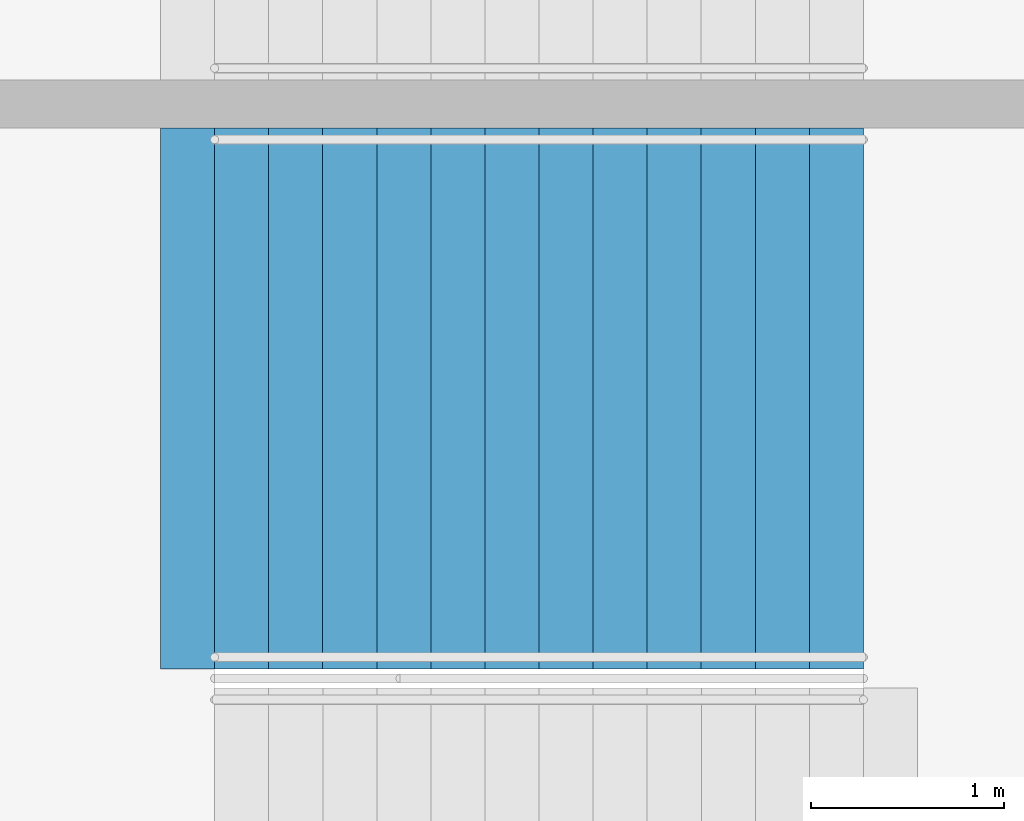
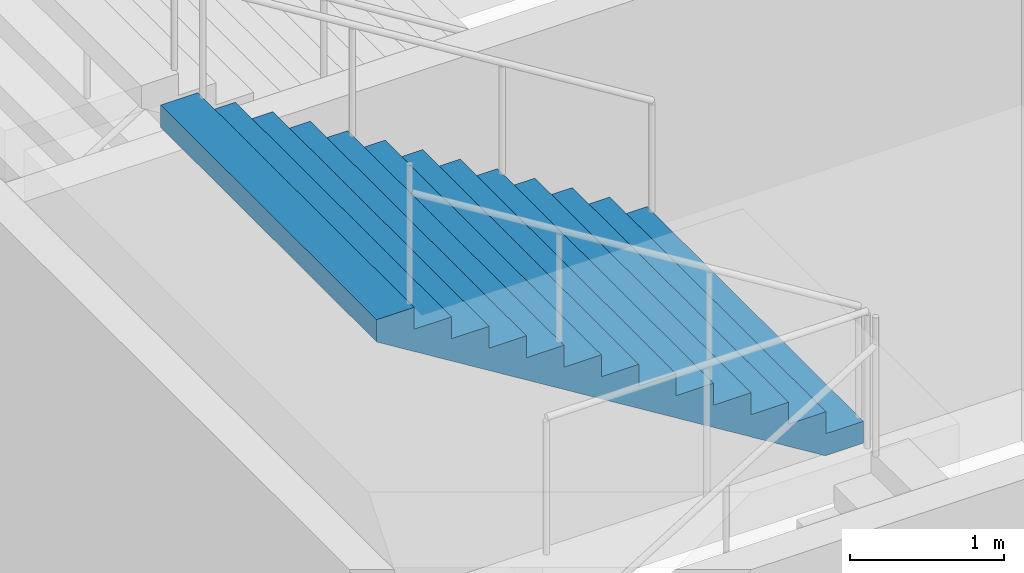
# One storey, part 143 of 199: 1 stair flight, 1 element without a shape of its own.
"""IFC4 building model written with IfcOpenShell, lengths in metres."""

import ifcopenshell
import ifcopenshell.guid

model = None  # the IFC model being written
_history = None  # IfcOwnerHistory: only IFC2X3 demands one
_inside = {}  # id of a spatial element -> (the spatial element, [elements in it])
_under = {}  # id of a project, library or spatial element -> (it, [spatial elements below it])
_declared = {}  # id of a project -> (the project, [libraries it declares])
_typed = {}  # id of a type object -> (the type object, [elements of that type])
_made_of = {}  # id of a material, layer set ... -> (it, [elements and type objects made of it])


def new_model(schema):
    """Start an empty IFC model of exactly this schema.

    Asked for "IFC4X3", IfcOpenShell would pick the latest addendum, in which some entities
    have other attributes; the version numbers below select the first issue.
    IFC2X3 requires an IfcOwnerHistory on every rooted entity: one is made here for all.
    """
    global model, _history
    if schema == "IFC4X3":
        model = ifcopenshell.file(schema_version=(4, 3, 0, 0))
    else:
        model = ifcopenshell.file(schema=schema)
    _inside.clear()
    _under.clear()
    _declared.clear()
    _typed.clear()
    _made_of.clear()
    _history = None
    if model.schema == "IFC2X3":
        org = make("IfcOrganization", Name="unknown")
        user = make(
            "IfcPersonAndOrganization",
            ThePerson=make("IfcPerson", FamilyName="unknown"),
            TheOrganization=org,
        )
        app = make(
            "IfcApplication",
            ApplicationDeveloper=org,
            Version="unknown",
            ApplicationFullName="unknown",
            ApplicationIdentifier="unknown",
        )
        _history = make(
            "IfcOwnerHistory",
            OwningUser=user,
            OwningApplication=app,
            ChangeAction="ADDED",
            CreationDate=0,
        )
    return model


def make(cls, **values):
    """One entity of the class cls with the attributes given. An attribute that is None is left unset."""
    return model.create_entity(
        cls, **{name: value for name, value in values.items() if value is not None}
    )


def rooted(cls, **values):
    """An entity with a GlobalId (a new one), such as an element, a storey or a relation."""
    return make(cls, GlobalId=ifcopenshell.guid.new(), OwnerHistory=_history, **values)


def si_unit(unit_type, name, prefix=None):
    """IfcSIUnit, for example si_unit("LENGTHUNIT", "METRE", prefix="MILLI")."""
    return make("IfcSIUnit", UnitType=unit_type, Prefix=prefix, Name=name)


def assignment(units):
    """IfcUnitAssignment: the units of a project."""
    return None if units is None else make("IfcUnitAssignment", Units=units)


def point(xyz):
    """IfcCartesianPoint."""
    return None if xyz is None else make("IfcCartesianPoint", Coordinates=xyz)


def direction(xyz):
    """IfcDirection."""
    return None if xyz is None else make("IfcDirection", DirectionRatios=xyz)


def frame(location, z_axis=None, x_axis=None):
    """IfcAxis2Placement3D, a coordinate frame: its origin and axes. An axis left out is left unset."""
    return make(
        "IfcAxis2Placement3D",
        Location=point(location),
        Axis=direction(z_axis),
        RefDirection=direction(x_axis),
    )


def origin():
    """The frame at (0, 0, 0) with its axes left unset."""
    return frame((0.0, 0.0, 0.0))


def place(relative_to, where):
    """IfcLocalPlacement: puts the frame where relative to a parent placement (None: the world)."""
    return make(
        "IfcLocalPlacement", PlacementRelTo=relative_to, RelativePlacement=where
    )


def context(
    kind, dimensions, precision=None, world=None, true_north=None, identifier=None
):
    """IfcGeometricRepresentationContext, for example the 3D "Model" context."""
    return make(
        "IfcGeometricRepresentationContext",
        ContextIdentifier=identifier,
        ContextType=kind,
        CoordinateSpaceDimension=dimensions,
        Precision=precision,
        WorldCoordinateSystem=world,
        TrueNorth=true_north,
    )


def subcontext(parent, identifier, kind, view, scale=None):
    """IfcGeometricRepresentationSubContext, for example "Body" below "Model"."""
    return make(
        "IfcGeometricRepresentationSubContext",
        ContextIdentifier=identifier,
        ContextType=kind,
        ParentContext=parent,
        TargetScale=scale,
        TargetView=view,
    )


def project(units=None, contexts=None):
    """IfcProject with its units and contexts."""
    return rooted(
        "IfcProject",
        Name="project",
        RepresentationContexts=contexts,
        UnitsInContext=assignment(units),
    )


def spatial(cls, under=None, at=None, **own):
    """A site, building, storey or space (cls), placed at a placement, below another one or the project."""
    s = rooted(cls, ObjectPlacement=at, **own)
    if under is not None:
        _under.setdefault(under.id(), (under, []))[1].append(s)
    return s


def faces_of(points, faces, orient=None, outer=None):
    """IfcFace entities. A face is a list of loops; a loop is a list of indices into points, from 0.

    orient and outer hold one flag for each loop. By default every Orientation is true, the
    first loop of a face is its IfcFaceOuterBound and the others are IfcFaceBound.
    """
    made = []
    for i, loops in enumerate(faces):
        bounds = []
        for j, loop in enumerate(loops):
            is_outer = j == 0 if outer is None else outer[i][j]
            bounds.append(
                make(
                    "IfcFaceOuterBound" if is_outer else "IfcFaceBound",
                    Bound=make("IfcPolyLoop", Polygon=[points[k] for k in loop]),
                    Orientation=True if orient is None else orient[i][j],
                )
            )
        made.append(make("IfcFace", Bounds=bounds))
    return made


def faceted_brep(points, faces, orient=None, outer=None, voids=None):
    """IfcFacetedBrep: a solid bounded by flat faces; with voids (closed shells), ...WithVoids."""
    shared = [point(p) for p in points]
    hull = make("IfcClosedShell", CfsFaces=faces_of(shared, faces, orient, outer))
    if voids is None:
        return make("IfcFacetedBrep", Outer=hull)
    return make(
        "IfcFacetedBrepWithVoids",
        Outer=hull,
        Voids=[
            make(cls, CfsFaces=faces_of(shared, fs, o, b)) for cls, fs, o, b in voids
        ],
    )


def shape(context_of_items, identifier, shape_type, items):
    """IfcShapeRepresentation: the items that make up one representation, for example the "Body"."""
    return make(
        "IfcShapeRepresentation",
        ContextOfItems=context_of_items,
        RepresentationIdentifier=identifier,
        RepresentationType=shape_type,
        Items=items,
    )


def material(Name=None, Category=None):
    """IfcMaterial."""
    return make("IfcMaterial", Name=Name, Category=Category)


def made_of(thing, what):
    """Note that an element or type object is made of a material, layer set ...; save() writes the relation."""
    if what is not None:
        _made_of.setdefault(what.id(), (what, []))[1].append(thing)
    return thing


def type_object(cls, material=None, **own):
    """A type object (cls), such as IfcWallType, which elements share."""
    return made_of(rooted(cls, **own), material)


def element(
    cls,
    number,
    at=None,
    inside=None,
    cuts=None,
    type_object=None,
    material=None,
    context=None,
    identifier="Body",
    shape_type=None,
    held_by="IfcProductDefinitionShape",
    body=None,
    shapes=None,
    **own,
):
    """One element of the class cls, such as IfcWall. Its Tag is "e" and its number.

    at: its placement. inside: the storey or other place that contains it. cuts: it is an
    opening in that element (IfcRelVoidsElement). A single representation is given by context,
    identifier, shape_type and body (its items); several are given by shapes. held_by: the class
    of the entity that holds the representations. save() writes the other relations.
    """
    e = rooted(cls, Tag="e%d" % number, ObjectPlacement=at, **own)
    if body is not None:
        shapes = [shape(context, identifier, shape_type, body)]
    if shapes is not None:
        e.Representation = make(held_by, Representations=shapes)
    if inside is not None:
        _inside.setdefault(inside.id(), (inside, []))[1].append(e)
    if cuts is not None:
        rooted(
            "IfcRelVoidsElement", RelatingBuildingElement=cuts, RelatedOpeningElement=e
        )
    if type_object is not None:
        _typed.setdefault(type_object.id(), (type_object, []))[1].append(e)
    return made_of(e, material)


def aggregate(whole, parts):
    """IfcRelAggregates: a whole, such as a stair, and the parts it consists of."""
    return rooted("IfcRelAggregates", RelatingObject=whole, RelatedObjects=parts)


def save(model, path):
    """Write the relations noted so far, then the file.

    IfcRelAggregates (storeys below a building ...), IfcRelContainedInSpatialStructure (elements
    in a storey), IfcRelDefinesByType, IfcRelAssociatesMaterial and IfcRelDeclares: one each for
    every whole, place, type object, material and project.
    """
    for whole, parts in _under.values():
        aggregate(whole, parts)
    for where, things in _inside.values():
        rooted(
            "IfcRelContainedInSpatialStructure",
            RelatedElements=things,
            RelatingStructure=where,
        )
    for kind, things in _typed.values():
        rooted("IfcRelDefinesByType", RelatedObjects=things, RelatingType=kind)
    for what, things in _made_of.values():
        rooted("IfcRelAssociatesMaterial", RelatedObjects=things, RelatingMaterial=what)
    for by, libraries in _declared.values():
        rooted("IfcRelDeclares", RelatingContext=by, RelatedDefinitions=libraries)
    model.write(path)


model = new_model("IFC4")

# Units and contexts
model_context = context("Model", 3, precision=1e-05, world=origin(), true_north=direction((0.0, 1.0)))
body_context = subcontext(model_context, "Body", "Model", "MODEL_VIEW")
ifc_project = project(units=[si_unit("LENGTHUNIT", "METRE"), si_unit("AREAUNIT", "SQUARE_METRE"), si_unit("VOLUMEUNIT", "CUBIC_METRE"), si_unit("PLANEANGLEUNIT", "RADIAN"), si_unit("MASSUNIT", "GRAM", prefix="KILO")], contexts=[model_context])

# Site, building, storey
site_placement = place(None, origin())
site = spatial("IfcSite", under=ifc_project, at=site_placement, CompositionType="ELEMENT")
building_placement = place(site_placement, origin())
building = spatial("IfcBuilding", under=site, at=building_placement, Name="Ogive Plaza Stadium", CompositionType="ELEMENT")
storey_placement = place(building_placement, frame((0.0, 0.0, 9.0)))
storey = spatial("IfcBuildingStorey", under=building, at=storey_placement, Name="L02", CompositionType="ELEMENT", Elevation=9.0)

# Stair, stair flight
ifc_material_1 = material(Name="Concrete C40/50", Category="concrete")
stair_type = type_object("IfcStairType", Name="Exit stair", PredefinedType="STRAIGHT_RUN_STAIR", material=ifc_material_1)
stair_placement = place(storey_placement, origin())
stair = element("IfcStair", 1, at=stair_placement, inside=storey, type_object=stair_type, Name="Exit stair ST06A L02 to L03", PredefinedType="STRAIGHT_RUN_STAIR")
ifc_material_2 = material(Name="Concrete C40/50", Category="concrete")
stair_flight_type = type_object("IfcStairFlightType", Name="Exit stair flight", PredefinedType="STRAIGHT", material=ifc_material_2)
stair_flight_placement = place(storey_placement, frame((79.7099609375, -24.02490234375, 2.25), z_axis=(0.0, 0.0, 1.0), x_axis=(-1.0, 0.0, 0.0)))
stair_flight = element("IfcStairFlight", 2, at=stair_flight_placement, type_object=stair_flight_type, Name="ST06A flight 2", NumberOfRisers=13, NumberOfTreads=12, PredefinedType="STRAIGHT", RiserHeight=0.173076923, TreadLength=0.28, context=body_context, shape_type="Brep", body=[
    faceted_brep([(0.28515625, -1.39990234375, 0.0), (3.639892578125, -1.39990234375, 2.07373046875), (3.639892578125, -1.39990234375, 2.25), (3.360107421875, -1.39990234375, 2.25), (3.360107421875, -1.39990234375, 2.076904296875), (3.080078125, -1.39990234375, 2.076904296875), (3.080078125, -1.39990234375, 1.90380859375), (2.800048828125, -1.39990234375, 1.90380859375), (2.800048828125, -1.39990234375, 1.730712890625), (2.52001953125, -1.39990234375, 1.730712890625), (2.52001953125, -1.39990234375, 1.5576171875), (2.239990234375, -1.39990234375, 1.5576171875), (2.239990234375, -1.39990234375, 1.384521484375), (1.9599609375, -1.39990234375, 1.384521484375), (1.9599609375, -1.39990234375, 1.21142578125), (1.679931640625, -1.39990234375, 1.21142578125), (1.679931640625, -1.39990234375, 1.03857421875), (1.39990234375, -1.39990234375, 1.03857421875), (1.39990234375, -1.39990234375, 0.865478515625), (1.1201171875, -1.39990234375, 0.865478515625), (1.1201171875, -1.39990234375, 0.6923828125), (0.840087890625, -1.39990234375, 0.6923828125), (0.840087890625, -1.39990234375, 0.519287109375), (0.56005859375, -1.39990234375, 0.519287109375), (0.56005859375, -1.39990234375, 0.34619140625), (0.280029296875, -1.39990234375, 0.34619140625), (0.280029296875, -1.39990234375, 0.173095703125), (0.0, -1.39990234375, 0.173095703125), (0.0, -1.39990234375, 0.0), (0.0, 1.39990234375, 0.0), (0.0, 1.39990234375, 0.173095703125), (0.280029296875, 1.39990234375, 0.173095703125), (0.280029296875, 1.39990234375, 0.34619140625), (0.56005859375, 1.39990234375, 0.34619140625), (0.56005859375, 1.39990234375, 0.519287109375), (0.840087890625, 1.39990234375, 0.519287109375), (0.840087890625, 1.39990234375, 0.6923828125), (1.1201171875, 1.39990234375, 0.6923828125), (1.1201171875, 1.39990234375, 0.865478515625), (1.39990234375, 1.39990234375, 0.865478515625), (1.39990234375, 1.39990234375, 1.03857421875), (1.679931640625, 1.39990234375, 1.03857421875), (1.679931640625, 1.39990234375, 1.21142578125), (1.9599609375, 1.39990234375, 1.21142578125), (1.9599609375, 1.39990234375, 1.384521484375), (2.239990234375, 1.39990234375, 1.384521484375), (2.239990234375, 1.39990234375, 1.5576171875), (2.52001953125, 1.39990234375, 1.5576171875), (2.52001953125, 1.39990234375, 1.730712890625), (2.800048828125, 1.39990234375, 1.730712890625), (2.800048828125, 1.39990234375, 1.90380859375), (3.080078125, 1.39990234375, 1.90380859375), (3.080078125, 1.39990234375, 2.076904296875), (3.360107421875, 1.39990234375, 2.076904296875), (3.360107421875, 1.39990234375, 2.25), (3.639892578125, 1.39990234375, 2.25), (3.639892578125, 1.39990234375, 2.07373046875), (0.28515625, 1.39990234375, 0.0), (0.28515625, -1.0888671875, 0.0), (3.639892578125, -1.0888671875, 2.07373046875), (0.28515625, -0.77783203125, 0.0), (3.639892578125, -0.77783203125, 2.07373046875), (0.28515625, -0.466796875, 0.0), (3.639892578125, -0.466796875, 2.07373046875), (0.28515625, -0.155517578125, 0.0), (3.639892578125, -0.155517578125, 2.07373046875), (0.28515625, 0.155517578125, 0.0), (3.639892578125, 0.155517578125, 2.07373046875), (0.28515625, 0.466796875, 0.0), (3.639892578125, 0.466796875, 2.07373046875), (0.28515625, 0.77783203125, 0.0), (3.639892578125, 0.77783203125, 2.07373046875), (0.28515625, 1.0888671875, 0.0), (3.639892578125, 1.0888671875, 2.07373046875), (3.639892578125, -1.0888671875, 2.25), (3.639892578125, -0.77783203125, 2.25), (3.639892578125, -0.466796875, 2.25), (3.639892578125, -0.155517578125, 2.25), (3.639892578125, 0.155517578125, 2.25), (3.639892578125, 0.466796875, 2.25), (3.639892578125, 0.77783203125, 2.25), (3.639892578125, 1.0888671875, 2.25), (3.360107421875, -1.0888671875, 2.25), (3.360107421875, -0.77783203125, 2.25), (3.360107421875, -0.466796875, 2.25), (3.360107421875, -0.155517578125, 2.25), (3.360107421875, 0.155517578125, 2.25), (3.360107421875, 0.466796875, 2.25), (3.360107421875, 0.77783203125, 2.25), (3.360107421875, 1.0888671875, 2.25), (3.360107421875, -1.0888671875, 2.076904296875), (3.360107421875, -0.77783203125, 2.076904296875), (3.360107421875, -0.466796875, 2.076904296875), (3.360107421875, -0.155517578125, 2.076904296875), (3.360107421875, 0.155517578125, 2.076904296875), (3.360107421875, 0.466796875, 2.076904296875), (3.360107421875, 0.77783203125, 2.076904296875), (3.360107421875, 1.0888671875, 2.076904296875), (3.080078125, -1.0888671875, 2.076904296875), (3.080078125, -0.77783203125, 2.076904296875), (3.080078125, -0.466796875, 2.076904296875), (3.080078125, -0.155517578125, 2.076904296875), (3.080078125, 0.155517578125, 2.076904296875), (3.080078125, 0.466796875, 2.076904296875), (3.080078125, 0.77783203125, 2.076904296875), (3.080078125, 1.0888671875, 2.076904296875), (3.080078125, -1.0888671875, 1.90380859375), (3.080078125, -0.77783203125, 1.90380859375), (3.080078125, -0.466796875, 1.90380859375), (3.080078125, -0.155517578125, 1.90380859375), (3.080078125, 0.155517578125, 1.90380859375), (3.080078125, 0.466796875, 1.90380859375), (3.080078125, 0.77783203125, 1.90380859375), (3.080078125, 1.0888671875, 1.90380859375), (2.800048828125, -1.0888671875, 1.90380859375), (2.800048828125, -0.77783203125, 1.90380859375), (2.800048828125, -0.466796875, 1.90380859375), (2.800048828125, -0.155517578125, 1.90380859375), (2.800048828125, 0.155517578125, 1.90380859375), (2.800048828125, 0.466796875, 1.90380859375), (2.800048828125, 0.77783203125, 1.90380859375), (2.800048828125, 1.0888671875, 1.90380859375), (2.800048828125, -1.0888671875, 1.730712890625), (2.800048828125, -0.77783203125, 1.730712890625), (2.800048828125, -0.466796875, 1.730712890625), (2.800048828125, -0.155517578125, 1.730712890625), (2.800048828125, 0.155517578125, 1.730712890625), (2.800048828125, 0.466796875, 1.730712890625), (2.800048828125, 0.77783203125, 1.730712890625), (2.800048828125, 1.0888671875, 1.730712890625), (2.52001953125, -1.0888671875, 1.730712890625), (2.52001953125, -0.77783203125, 1.730712890625), (2.52001953125, -0.466796875, 1.730712890625), (2.52001953125, -0.155517578125, 1.730712890625), (2.52001953125, 0.155517578125, 1.730712890625), (2.52001953125, 0.466796875, 1.730712890625), (2.52001953125, 0.77783203125, 1.730712890625), (2.52001953125, 1.0888671875, 1.730712890625), (2.52001953125, -1.0888671875, 1.5576171875), (2.52001953125, -0.77783203125, 1.5576171875), (2.52001953125, -0.466796875, 1.5576171875), (2.52001953125, -0.155517578125, 1.5576171875), (2.52001953125, 0.155517578125, 1.5576171875), (2.52001953125, 0.466796875, 1.5576171875), (2.52001953125, 0.77783203125, 1.5576171875), (2.52001953125, 1.0888671875, 1.5576171875), (2.239990234375, -1.0888671875, 1.5576171875), (2.239990234375, -0.77783203125, 1.5576171875), (2.239990234375, -0.466796875, 1.5576171875), (2.239990234375, -0.155517578125, 1.5576171875), (2.239990234375, 0.155517578125, 1.5576171875), (2.239990234375, 0.466796875, 1.5576171875), (2.239990234375, 0.77783203125, 1.5576171875), (2.239990234375, 1.0888671875, 1.5576171875), (2.239990234375, -1.0888671875, 1.384521484375), (2.239990234375, -0.77783203125, 1.384521484375), (2.239990234375, -0.466796875, 1.384521484375), (2.239990234375, -0.155517578125, 1.384521484375), (2.239990234375, 0.155517578125, 1.384521484375), (2.239990234375, 0.466796875, 1.384521484375), (2.239990234375, 0.77783203125, 1.384521484375), (2.239990234375, 1.0888671875, 1.384521484375), (1.9599609375, -1.0888671875, 1.384521484375), (1.9599609375, -0.77783203125, 1.384521484375), (1.9599609375, -0.466796875, 1.384521484375), (1.9599609375, -0.155517578125, 1.384521484375), (1.9599609375, 0.155517578125, 1.384521484375), (1.9599609375, 0.466796875, 1.384521484375), (1.9599609375, 0.77783203125, 1.384521484375), (1.9599609375, 1.0888671875, 1.384521484375), (1.9599609375, -1.0888671875, 1.21142578125), (1.9599609375, -0.77783203125, 1.21142578125), (1.9599609375, -0.466796875, 1.21142578125), (1.9599609375, -0.155517578125, 1.21142578125), (1.9599609375, 0.155517578125, 1.21142578125), (1.9599609375, 0.466796875, 1.21142578125), (1.9599609375, 0.77783203125, 1.21142578125), (1.9599609375, 1.0888671875, 1.21142578125), (1.679931640625, -1.0888671875, 1.21142578125), (1.679931640625, -0.77783203125, 1.21142578125), (1.679931640625, -0.466796875, 1.21142578125), (1.679931640625, -0.155517578125, 1.21142578125), (1.679931640625, 0.155517578125, 1.21142578125), (1.679931640625, 0.466796875, 1.21142578125), (1.679931640625, 0.77783203125, 1.21142578125), (1.679931640625, 1.0888671875, 1.21142578125), (1.679931640625, -1.0888671875, 1.03857421875), (1.679931640625, -0.77783203125, 1.03857421875), (1.679931640625, -0.466796875, 1.03857421875), (1.679931640625, -0.155517578125, 1.03857421875), (1.679931640625, 0.155517578125, 1.03857421875), (1.679931640625, 0.466796875, 1.03857421875), (1.679931640625, 0.77783203125, 1.03857421875), (1.679931640625, 1.0888671875, 1.03857421875), (1.39990234375, -1.0888671875, 1.03857421875), (1.39990234375, -0.77783203125, 1.03857421875), (1.39990234375, -0.466796875, 1.03857421875), (1.39990234375, -0.155517578125, 1.03857421875), (1.39990234375, 0.155517578125, 1.03857421875), (1.39990234375, 0.466796875, 1.03857421875), (1.39990234375, 0.77783203125, 1.03857421875), (1.39990234375, 1.0888671875, 1.03857421875), (1.39990234375, -1.0888671875, 0.865478515625), (1.39990234375, -0.77783203125, 0.865478515625), (1.39990234375, -0.466796875, 0.865478515625), (1.39990234375, -0.155517578125, 0.865478515625), (1.39990234375, 0.155517578125, 0.865478515625), (1.39990234375, 0.466796875, 0.865478515625), (1.39990234375, 0.77783203125, 0.865478515625), (1.39990234375, 1.0888671875, 0.865478515625), (1.1201171875, -1.0888671875, 0.865478515625), (1.1201171875, -0.77783203125, 0.865478515625), (1.1201171875, -0.466796875, 0.865478515625), (1.1201171875, -0.155517578125, 0.865478515625), (1.1201171875, 0.155517578125, 0.865478515625), (1.1201171875, 0.466796875, 0.865478515625), (1.1201171875, 0.77783203125, 0.865478515625), (1.1201171875, 1.0888671875, 0.865478515625), (1.1201171875, -1.0888671875, 0.6923828125), (1.1201171875, -0.77783203125, 0.6923828125), (1.1201171875, -0.466796875, 0.6923828125), (1.1201171875, -0.155517578125, 0.6923828125), (1.1201171875, 0.155517578125, 0.6923828125), (1.1201171875, 0.466796875, 0.6923828125), (1.1201171875, 0.77783203125, 0.6923828125), (1.1201171875, 1.0888671875, 0.6923828125), (0.840087890625, -1.0888671875, 0.6923828125), (0.840087890625, -0.77783203125, 0.6923828125), (0.840087890625, -0.466796875, 0.6923828125), (0.840087890625, -0.155517578125, 0.6923828125), (0.840087890625, 0.155517578125, 0.6923828125), (0.840087890625, 0.466796875, 0.6923828125), (0.840087890625, 0.77783203125, 0.6923828125), (0.840087890625, 1.0888671875, 0.6923828125), (0.840087890625, -1.0888671875, 0.519287109375), (0.840087890625, -0.77783203125, 0.519287109375), (0.840087890625, -0.466796875, 0.519287109375), (0.840087890625, -0.155517578125, 0.519287109375), (0.840087890625, 0.155517578125, 0.519287109375), (0.840087890625, 0.466796875, 0.519287109375), (0.840087890625, 0.77783203125, 0.519287109375), (0.840087890625, 1.0888671875, 0.519287109375), (0.56005859375, -1.0888671875, 0.519287109375), (0.56005859375, -0.77783203125, 0.519287109375), (0.56005859375, -0.466796875, 0.519287109375), (0.56005859375, -0.155517578125, 0.519287109375), (0.56005859375, 0.155517578125, 0.519287109375), (0.56005859375, 0.466796875, 0.519287109375), (0.56005859375, 0.77783203125, 0.519287109375), (0.56005859375, 1.0888671875, 0.519287109375), (0.56005859375, -1.0888671875, 0.34619140625), (0.56005859375, -0.77783203125, 0.34619140625), (0.56005859375, -0.466796875, 0.34619140625), (0.56005859375, -0.155517578125, 0.34619140625), (0.56005859375, 0.155517578125, 0.34619140625), (0.56005859375, 0.466796875, 0.34619140625), (0.56005859375, 0.77783203125, 0.34619140625), (0.56005859375, 1.0888671875, 0.34619140625), (0.280029296875, -1.0888671875, 0.34619140625), (0.280029296875, -0.77783203125, 0.34619140625), (0.280029296875, -0.466796875, 0.34619140625), (0.280029296875, -0.155517578125, 0.34619140625), (0.280029296875, 0.155517578125, 0.34619140625), (0.280029296875, 0.466796875, 0.34619140625), (0.280029296875, 0.77783203125, 0.34619140625), (0.280029296875, 1.0888671875, 0.34619140625), (0.280029296875, -1.0888671875, 0.173095703125), (0.280029296875, -0.77783203125, 0.173095703125), (0.280029296875, -0.466796875, 0.173095703125), (0.280029296875, -0.155517578125, 0.173095703125), (0.280029296875, 0.155517578125, 0.173095703125), (0.280029296875, 0.466796875, 0.173095703125), (0.280029296875, 0.77783203125, 0.173095703125), (0.280029296875, 1.0888671875, 0.173095703125), (0.0, -1.0888671875, 0.173095703125), (0.0, -0.77783203125, 0.173095703125), (0.0, -0.466796875, 0.173095703125), (0.0, -0.155517578125, 0.173095703125), (0.0, 0.155517578125, 0.173095703125), (0.0, 0.466796875, 0.173095703125), (0.0, 0.77783203125, 0.173095703125), (0.0, 1.0888671875, 0.173095703125), (0.0, -1.0888671875, 0.0), (0.0, -0.77783203125, 0.0), (0.0, -0.466796875, 0.0), (0.0, -0.155517578125, 0.0), (0.0, 0.155517578125, 0.0), (0.0, 0.466796875, 0.0), (0.0, 0.77783203125, 0.0), (0.0, 1.0888671875, 0.0)], [[[0, 1, 2, 3, 4, 5, 6, 7, 8, 9, 10, 11, 12, 13, 14, 15, 16, 17, 18, 19, 20, 21, 22, 23, 24, 25, 26, 27, 28]], [[29, 30, 31, 32, 33, 34, 35, 36, 37, 38, 39, 40, 41, 42, 43, 44, 45, 46, 47, 48, 49, 50, 51, 52, 53, 54, 55, 56, 57]], [[0, 58, 59, 1]], [[58, 60, 61, 59]], [[60, 62, 63, 61]], [[62, 64, 65, 63]], [[64, 66, 67, 65]], [[66, 68, 69, 67]], [[68, 70, 71, 69]], [[70, 72, 73, 71]], [[72, 57, 56, 73]], [[1, 59, 74, 2]], [[59, 61, 75, 74]], [[61, 63, 76, 75]], [[63, 65, 77, 76]], [[65, 67, 78, 77]], [[67, 69, 79, 78]], [[69, 71, 80, 79]], [[71, 73, 81, 80]], [[73, 56, 55, 81]], [[2, 74, 82, 3]], [[74, 75, 83, 82]], [[75, 76, 84, 83]], [[76, 77, 85, 84]], [[77, 78, 86, 85]], [[78, 79, 87, 86]], [[79, 80, 88, 87]], [[80, 81, 89, 88]], [[81, 55, 54, 89]], [[3, 82, 90, 4]], [[82, 83, 91, 90]], [[83, 84, 92, 91]], [[84, 85, 93, 92]], [[85, 86, 94, 93]], [[86, 87, 95, 94]], [[87, 88, 96, 95]], [[88, 89, 97, 96]], [[89, 54, 53, 97]], [[4, 90, 98, 5]], [[90, 91, 99, 98]], [[91, 92, 100, 99]], [[92, 93, 101, 100]], [[93, 94, 102, 101]], [[94, 95, 103, 102]], [[95, 96, 104, 103]], [[96, 97, 105, 104]], [[97, 53, 52, 105]], [[5, 98, 106, 6]], [[98, 99, 107, 106]], [[99, 100, 108, 107]], [[100, 101, 109, 108]], [[101, 102, 110, 109]], [[102, 103, 111, 110]], [[103, 104, 112, 111]], [[104, 105, 113, 112]], [[105, 52, 51, 113]], [[6, 106, 114, 7]], [[106, 107, 115, 114]], [[107, 108, 116, 115]], [[108, 109, 117, 116]], [[109, 110, 118, 117]], [[110, 111, 119, 118]], [[111, 112, 120, 119]], [[112, 113, 121, 120]], [[113, 51, 50, 121]], [[7, 114, 122, 8]], [[114, 115, 123, 122]], [[115, 116, 124, 123]], [[116, 117, 125, 124]], [[117, 118, 126, 125]], [[118, 119, 127, 126]], [[119, 120, 128, 127]], [[120, 121, 129, 128]], [[121, 50, 49, 129]], [[8, 122, 130, 9]], [[122, 123, 131, 130]], [[123, 124, 132, 131]], [[124, 125, 133, 132]], [[125, 126, 134, 133]], [[126, 127, 135, 134]], [[127, 128, 136, 135]], [[128, 129, 137, 136]], [[129, 49, 48, 137]], [[9, 130, 138, 10]], [[130, 131, 139, 138]], [[131, 132, 140, 139]], [[132, 133, 141, 140]], [[133, 134, 142, 141]], [[134, 135, 143, 142]], [[135, 136, 144, 143]], [[136, 137, 145, 144]], [[137, 48, 47, 145]], [[10, 138, 146, 11]], [[138, 139, 147, 146]], [[139, 140, 148, 147]], [[140, 141, 149, 148]], [[141, 142, 150, 149]], [[142, 143, 151, 150]], [[143, 144, 152, 151]], [[144, 145, 153, 152]], [[145, 47, 46, 153]], [[11, 146, 154, 12]], [[146, 147, 155, 154]], [[147, 148, 156, 155]], [[148, 149, 157, 156]], [[149, 150, 158, 157]], [[150, 151, 159, 158]], [[151, 152, 160, 159]], [[152, 153, 161, 160]], [[153, 46, 45, 161]], [[12, 154, 162, 13]], [[154, 155, 163, 162]], [[155, 156, 164, 163]], [[156, 157, 165, 164]], [[157, 158, 166, 165]], [[158, 159, 167, 166]], [[159, 160, 168, 167]], [[160, 161, 169, 168]], [[161, 45, 44, 169]], [[13, 162, 170, 14]], [[162, 163, 171, 170]], [[163, 164, 172, 171]], [[164, 165, 173, 172]], [[165, 166, 174, 173]], [[166, 167, 175, 174]], [[167, 168, 176, 175]], [[168, 169, 177, 176]], [[169, 44, 43, 177]], [[14, 170, 178, 15]], [[170, 171, 179, 178]], [[171, 172, 180, 179]], [[172, 173, 181, 180]], [[173, 174, 182, 181]], [[174, 175, 183, 182]], [[175, 176, 184, 183]], [[176, 177, 185, 184]], [[177, 43, 42, 185]], [[15, 178, 186, 16]], [[178, 179, 187, 186]], [[179, 180, 188, 187]], [[180, 181, 189, 188]], [[181, 182, 190, 189]], [[182, 183, 191, 190]], [[183, 184, 192, 191]], [[184, 185, 193, 192]], [[185, 42, 41, 193]], [[16, 186, 194, 17]], [[186, 187, 195, 194]], [[187, 188, 196, 195]], [[188, 189, 197, 196]], [[189, 190, 198, 197]], [[190, 191, 199, 198]], [[191, 192, 200, 199]], [[192, 193, 201, 200]], [[193, 41, 40, 201]], [[17, 194, 202, 18]], [[194, 195, 203, 202]], [[195, 196, 204, 203]], [[196, 197, 205, 204]], [[197, 198, 206, 205]], [[198, 199, 207, 206]], [[199, 200, 208, 207]], [[200, 201, 209, 208]], [[201, 40, 39, 209]], [[18, 202, 210, 19]], [[202, 203, 211, 210]], [[203, 204, 212, 211]], [[204, 205, 213, 212]], [[205, 206, 214, 213]], [[206, 207, 215, 214]], [[207, 208, 216, 215]], [[208, 209, 217, 216]], [[209, 39, 38, 217]], [[19, 210, 218, 20]], [[210, 211, 219, 218]], [[211, 212, 220, 219]], [[212, 213, 221, 220]], [[213, 214, 222, 221]], [[214, 215, 223, 222]], [[215, 216, 224, 223]], [[216, 217, 225, 224]], [[217, 38, 37, 225]], [[20, 218, 226, 21]], [[218, 219, 227, 226]], [[219, 220, 228, 227]], [[220, 221, 229, 228]], [[221, 222, 230, 229]], [[222, 223, 231, 230]], [[223, 224, 232, 231]], [[224, 225, 233, 232]], [[225, 37, 36, 233]], [[21, 226, 234, 22]], [[226, 227, 235, 234]], [[227, 228, 236, 235]], [[228, 229, 237, 236]], [[229, 230, 238, 237]], [[230, 231, 239, 238]], [[231, 232, 240, 239]], [[232, 233, 241, 240]], [[233, 36, 35, 241]], [[22, 234, 242, 23]], [[234, 235, 243, 242]], [[235, 236, 244, 243]], [[236, 237, 245, 244]], [[237, 238, 246, 245]], [[238, 239, 247, 246]], [[239, 240, 248, 247]], [[240, 241, 249, 248]], [[241, 35, 34, 249]], [[23, 242, 250, 24]], [[242, 243, 251, 250]], [[243, 244, 252, 251]], [[244, 245, 253, 252]], [[245, 246, 254, 253]], [[246, 247, 255, 254]], [[247, 248, 256, 255]], [[248, 249, 257, 256]], [[249, 34, 33, 257]], [[24, 250, 258, 25]], [[250, 251, 259, 258]], [[251, 252, 260, 259]], [[252, 253, 261, 260]], [[253, 254, 262, 261]], [[254, 255, 263, 262]], [[255, 256, 264, 263]], [[256, 257, 265, 264]], [[257, 33, 32, 265]], [[25, 258, 266, 26]], [[258, 259, 267, 266]], [[259, 260, 268, 267]], [[260, 261, 269, 268]], [[261, 262, 270, 269]], [[262, 263, 271, 270]], [[263, 264, 272, 271]], [[264, 265, 273, 272]], [[265, 32, 31, 273]], [[26, 266, 274, 27]], [[266, 267, 275, 274]], [[267, 268, 276, 275]], [[268, 269, 277, 276]], [[269, 270, 278, 277]], [[270, 271, 279, 278]], [[271, 272, 280, 279]], [[272, 273, 281, 280]], [[273, 31, 30, 281]], [[27, 274, 282, 28]], [[274, 275, 283, 282]], [[275, 276, 284, 283]], [[276, 277, 285, 284]], [[277, 278, 286, 285]], [[278, 279, 287, 286]], [[279, 280, 288, 287]], [[280, 281, 289, 288]], [[281, 30, 29, 289]], [[28, 282, 58, 0]], [[282, 283, 60, 58]], [[283, 284, 62, 60]], [[284, 285, 64, 62]], [[285, 286, 66, 64]], [[286, 287, 68, 66]], [[287, 288, 70, 68]], [[288, 289, 72, 70]], [[289, 29, 57, 72]]]),
])
aggregate(stair, [stair_flight])

save(model, "model.ifc")
